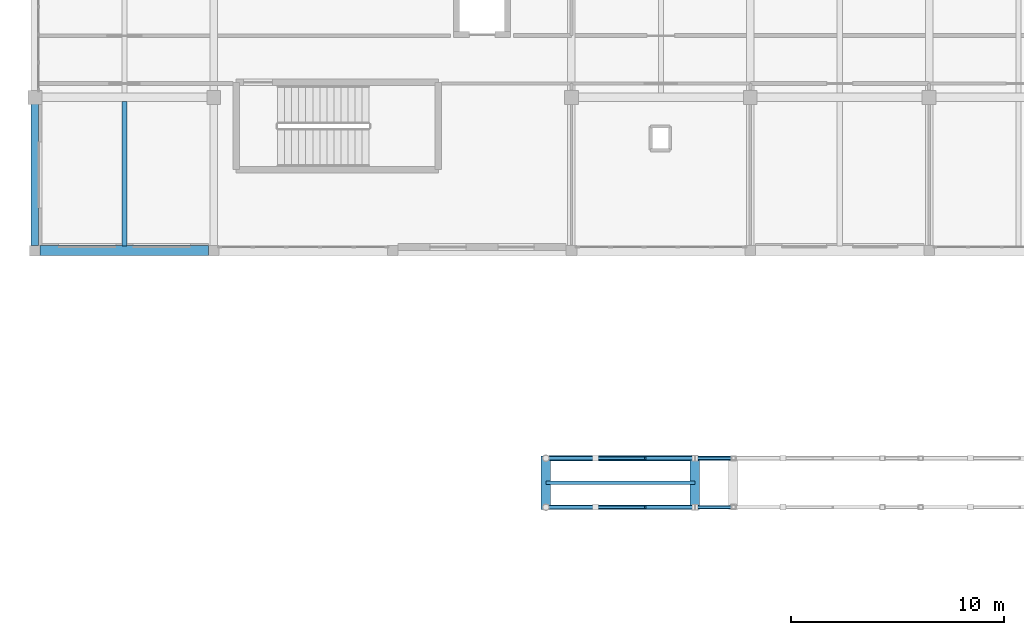
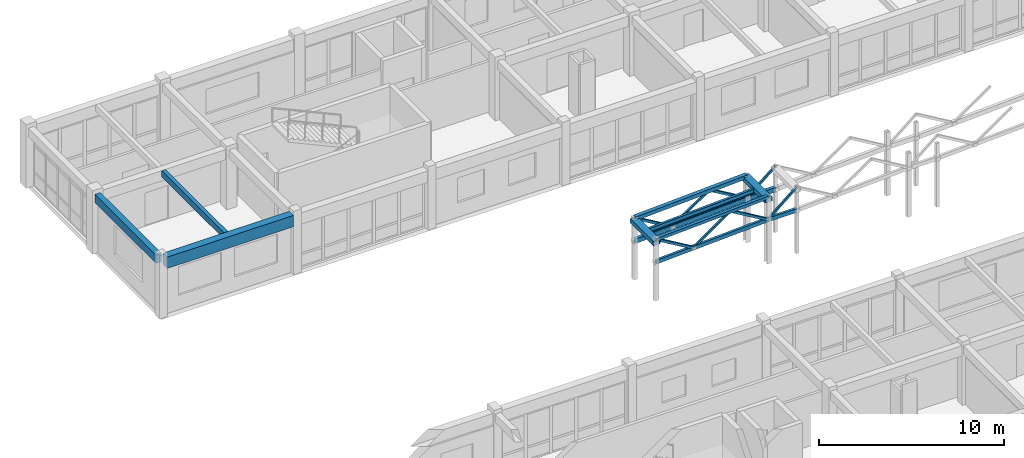
# One storey, part 33 of 89: 14 members, 6 beams.
"""IFC4 building model written with IfcOpenShell, lengths in metres."""

from ifc_helpers import new_model, si_unit, direction, frame, origin, origin_2d, place, context, subcontext, project, spatial, rectangle, hollow_rectangle, i_section, extrude, material, material_profile, profile_set, type_object, element, save


model = new_model("IFC4")

# Units and contexts
model_context = context("Model", 3, precision=1e-05, world=origin(), true_north=direction((0.0, 1.0)))
body_context = subcontext(model_context, "Body", "Model", "MODEL_VIEW")
ifc_project = project(units=[si_unit("LENGTHUNIT", "METRE"), si_unit("AREAUNIT", "SQUARE_METRE"), si_unit("VOLUMEUNIT", "CUBIC_METRE"), si_unit("PLANEANGLEUNIT", "RADIAN"), si_unit("MASSUNIT", "GRAM", prefix="KILO")], contexts=[model_context])

# Site, building, storey
site_placement = place(None, origin())
site = spatial("IfcSite", under=ifc_project, at=site_placement, CompositionType="ELEMENT")
building_placement = place(site_placement, origin())
building = spatial("IfcBuilding", under=site, at=building_placement, Name="Malvenik Polytechnic", CompositionType="ELEMENT")
storey_placement = place(building_placement, frame((0.0, 0.0, 13.5)))
storey = spatial("IfcBuildingStorey", under=building, at=storey_placement, Name="L03", CompositionType="ELEMENT", Elevation=13.5)

# Beams
ifc_material_1 = material(Name="Concrete C35/45", Category="concrete")
ifc_material_profile_1 = material_profile(ifc_material_1, rectangle(XDim=0.35009765625, YDim=0.550048828125, at=origin_2d()), Name="RC BM 350x550")
ifc_profile_set_1 = profile_set([ifc_material_profile_1], Name="Concrete C35/45")
beam_type_1 = type_object("IfcBeamType", Name="STR-BM-B-08", PredefinedType="BEAM", material=ifc_profile_set_1)
beam_1_placement = place(storey_placement, frame((0.0, 115.447998046875, 3.64501953125), z_axis=(0.0, 1.0, 0.0), x_axis=(-1.0, 0.0, 0.0)))
element("IfcBeam", 1, at=beam_1_placement, inside=storey, type_object=beam_type_1, Name="Transverse Beam B-08 L03 #1721", PredefinedType="BEAM", context=body_context, shape_type="SweptSolid", body=[
    extrude(rectangle(XDim=0.35009765625, YDim=0.550048828125, at=origin_2d()), origin(), (0.0, 0.0, 1.0), 6.62890625),
])
ifc_material_2 = material(Name="Concrete C30/37", Category="concrete")
ifc_material_profile_2 = material_profile(ifc_material_2, rectangle(XDim=0.239990234375, YDim=0.419921875, at=origin_2d()), Name="RC JST 240x420")
ifc_profile_set_2 = profile_set([ifc_material_profile_2], Name="Concrete C30/37")
beam_type_2 = type_object("IfcBeamType", Name="STR-BM-J-03", PredefinedType="JOIST", material=ifc_profile_set_2)
beam_2_placement = place(storey_placement, frame((4.199951171875, 115.427978515625, 3.7099609375), z_axis=(0.0, 1.0, 0.0), x_axis=(-1.0, 0.0, 0.0)))
element("IfcBeam", 2, at=beam_2_placement, inside=storey, type_object=beam_type_2, Name="Secondary Rib Joist J-03 L03 #1785", PredefinedType="JOIST", context=body_context, shape_type="SweptSolid", body=[
    extrude(rectangle(XDim=0.239990234375, YDim=0.419921875, at=origin_2d()), origin(), (0.0, 0.0, 1.0), 6.77392578125),
])
ifc_material_3 = material(Name="Steel S355J2H", Category="steel")
ifc_material_profile_3 = material_profile(ifc_material_3, hollow_rectangle(XDim=0.449951171875, YDim=0.300048828125, WallThickness=0.012451171875, at=origin_2d()), Name="RHS 450x300x12.5")
ifc_profile_set_3 = profile_set([ifc_material_profile_3], Name="Steel S355J2H")
beam_type_3 = type_object("IfcBeamType", Name="STR-BM-SB-07", PredefinedType="BEAM", material=ifc_profile_set_3)
for number, where, z_axis, x_axis, name in (
    (3, (24.0, 103.050048828125, 3.802001953125), (0.0, 1.0, 0.0), (-1.0, 0.0, 0.0), "Ramp Joint Transom RB-03 #0"),
    (4, (31.0, 103.050048828125, 4.181884765625), (0.0, 1.0, 0.0), (-1.0, 0.0, 0.0), "Ramp Joint Transom RB-03 #1"),
):
    element("IfcBeam", number, at=place(storey_placement, frame(where, z_axis=z_axis, x_axis=x_axis)), inside=storey, type_object=beam_type_3, Name=name, PredefinedType="BEAM", context=body_context, shape_type="SweptSolid", body=[
        extrude(hollow_rectangle(XDim=0.449951171875, YDim=0.300048828125, WallThickness=0.012451171875, at=origin_2d()), origin(), (0.0, 0.0, 1.0), 2.5),
    ])
ifc_material_4 = material(Name="Steel S355", Category="steel")
ifc_material_profile_4 = material_profile(ifc_material_4, i_section(OverallWidth=0.14990234375, OverallDepth=0.300048828125, WebThickness=0.007080078125, FlangeThickness=0.0107421875, FilletRadius=0.014892578125, at=origin_2d()), Name="IPE 300")
ifc_profile_set_4 = profile_set([ifc_material_profile_4], Name="Steel S355")
beam_type_4 = type_object("IfcBeamType", Name="STR-BM-SB-09", PredefinedType="JOIST", material=ifc_profile_set_4)
beam_3_placement = place(storey_placement, frame((24.0, 104.300048828125, 3.77490234375), z_axis=(0.998751643845, 0.0, 0.049951515669), x_axis=(0.0, 1.0, 0.0)))
element("IfcBeam", 5, at=beam_3_placement, inside=storey, type_object=beam_type_4, Name="Ramp Centreline Stringer RB-03 #0", PredefinedType="JOIST", context=body_context, shape_type="SweptSolid", body=[
    extrude(i_section(OverallWidth=0.14990234375, OverallDepth=0.300048828125, WebThickness=0.007080078125, FlangeThickness=0.0107421875, FilletRadius=0.014892578125, at=origin_2d()), origin(), (0.0, 0.0, 1.0), 7.0087890625),
])
ifc_material_5 = material(Name="Precast concrete C40/50", Category="concrete")
ifc_material_profile_5 = material_profile(ifc_material_5, rectangle(XDim=0.4599609375, YDim=0.75, at=origin_2d()), Name="PC SPN 460x750")
ifc_profile_set_5 = profile_set([ifc_material_profile_5], Name="Precast concrete C40/50")
beam_type_5 = type_object("IfcBeamType", Name="STR-BM-SP-02", PredefinedType="SPANDREL", material=ifc_profile_set_5)
beam_4_placement = place(storey_placement, frame((0.248046875, 115.199951171875, 3.544921875), z_axis=(1.0, 0.0, 0.0), x_axis=(0.0, 1.0, 0.0)))
element("IfcBeam", 6, at=beam_4_placement, inside=storey, type_object=beam_type_5, Name="Primary Beam SP-02 L03 #1677", PredefinedType="SPANDREL", context=body_context, shape_type="SweptSolid", body=[
    extrude(rectangle(XDim=0.4599609375, YDim=0.75, at=origin_2d()), origin(), (0.0, 0.0, 1.0), 7.904052734375),
])

# Members
ifc_material_profile_6 = material_profile(ifc_material_3, hollow_rectangle(XDim=0.14990234375, YDim=0.25, WallThickness=0.010009765625, at=origin_2d()), Name="RHS 250x150x10.0")
ifc_profile_set_6 = profile_set([ifc_material_profile_6], Name="Steel S355J2H")
member_type_1 = type_object("IfcMemberType", Name="STR-MEM-TRB-01", PredefinedType="CHORD", material=ifc_profile_set_6)
member_1_placement = place(storey_placement, frame((24.00390625, 103.14990234375, 2.480224609375), z_axis=(0.998752338878, 0.0, 0.049937616944), x_axis=(0.0, 1.0, 0.0)))
element("IfcMember", 7, at=member_1_placement, inside=storey, type_object=member_type_1, Name="Space-Frame Tube TRB-01 STR-TR-BC-RB-03-1-00", PredefinedType="CHORD", context=body_context, shape_type="SweptSolid", body=[
    extrude(hollow_rectangle(XDim=0.14990234375, YDim=0.25, WallThickness=0.010009765625, at=origin_2d()), origin(), (0.0, 0.0, 1.0), 7.0009765625),
])
member_2_placement = place(storey_placement, frame((31.00390625, 103.14990234375, 2.830078125), z_axis=(1.0, 0.0, 0.0), x_axis=(0.0, 1.0, 0.0)))
element("IfcMember", 8, at=member_2_placement, inside=storey, type_object=member_type_1, Name="Space-Frame Tube TRB-01 STR-TR-BC-RB-03-1-01", PredefinedType="CHORD", context=body_context, shape_type="SweptSolid", body=[
    extrude(hollow_rectangle(XDim=0.14990234375, YDim=0.25, WallThickness=0.010009765625, at=origin_2d()), origin(), (0.0, 0.0, 1.0), 1.7919921875),
])
ifc_material_profile_7 = material_profile(ifc_material_3, hollow_rectangle(XDim=0.199951171875, YDim=0.300048828125, WallThickness=0.010009765625, at=origin_2d()), Name="RHS 300x200x10.0")
ifc_profile_set_7 = profile_set([ifc_material_profile_7], Name="Steel S355J2H")
member_type_2 = type_object("IfcMemberType", Name="STR-MEM-TRB-02", PredefinedType="CHORD", material=ifc_profile_set_7)
member_3_placement = place(storey_placement, frame((24.00390625, 105.449951171875, 2.480224609375), z_axis=(0.998752338878, 0.0, 0.049937616944), x_axis=(0.0, 1.0, 0.0)))
element("IfcMember", 9, at=member_3_placement, inside=storey, type_object=member_type_2, Name="Space-Frame Tube TRB-02 STR-TR-BC-RB-03-2-00", PredefinedType="CHORD", context=body_context, shape_type="SweptSolid", body=[
    extrude(hollow_rectangle(XDim=0.199951171875, YDim=0.300048828125, WallThickness=0.010009765625, at=origin_2d()), origin(), (0.0, 0.0, 1.0), 7.0009765625),
])
member_4_placement = place(storey_placement, frame((31.00390625, 105.449951171875, 2.830078125), z_axis=(1.0, 0.0, 0.0), x_axis=(0.0, 1.0, 0.0)))
element("IfcMember", 10, at=member_4_placement, inside=storey, type_object=member_type_2, Name="Space-Frame Tube TRB-02 STR-TR-BC-RB-03-2-01", PredefinedType="CHORD", context=body_context, shape_type="SweptSolid", body=[
    extrude(hollow_rectangle(XDim=0.199951171875, YDim=0.300048828125, WallThickness=0.010009765625, at=origin_2d()), origin(), (0.0, 0.0, 1.0), 1.7919921875),
])
ifc_material_profile_8 = material_profile(ifc_material_3, hollow_rectangle(XDim=0.14990234375, YDim=0.14990234375, WallThickness=0.008056640625, at=origin_2d()), Name="SHS 150x150x8.0")
ifc_profile_set_8 = profile_set([ifc_material_profile_8], Name="Steel S355J2H")
member_type_3 = type_object("IfcMemberType", Name="STR-MEM-TRD-01", PredefinedType="BRACE", material=ifc_profile_set_8)
for number, where, z_axis, x_axis, name in (
    (11, (24.00341796875, 103.14990234375, 3.97802734375), (0.860165406805, 0.0, -0.51001516932), (0.0, 1.0, 0.0), "Space-Frame Tube TRD-01 STR-TRD-01-RB-03-1-00"),
    (12, (28.670166015625, 103.14990234375, 4.211181640625), (0.860205006447, 0.0, -0.509948376684), (0.0, 1.0, 0.0), "Space-Frame Tube TRD-01 STR-TRD-03-RB-03-1-00"),
    (13, (24.00341796875, 105.449951171875, 3.97802734375), (0.860165406805, 0.0, -0.51001516932), (0.0, 1.0, 0.0), "Space-Frame Tube TRD-01 STR-TRD-01-RB-03-2-00"),
    (14, (28.670166015625, 105.449951171875, 4.211181640625), (0.860205006447, 0.0, -0.509948376684), (0.0, 1.0, 0.0), "Space-Frame Tube TRD-01 STR-TRD-03-RB-03-2-00"),
):
    element("IfcMember", number, at=place(storey_placement, frame(where, z_axis=z_axis, x_axis=x_axis)), inside=storey, type_object=member_type_3, Name=name, PredefinedType="BRACE", context=body_context, shape_type="SweptSolid", body=[
        extrude(hollow_rectangle(XDim=0.14990234375, YDim=0.14990234375, WallThickness=0.008056640625, at=origin_2d()), origin(), (0.0, 0.0, 1.0), 2.70458984375),
    ])
ifc_material_profile_9 = material_profile(ifc_material_3, hollow_rectangle(XDim=0.1201171875, YDim=0.1201171875, WallThickness=0.00634765625, at=origin_2d()), Name="SHS 120x120x6.3")
ifc_profile_set_9 = profile_set([ifc_material_profile_9], Name="Steel S355J2H")
member_type_4 = type_object("IfcMemberType", Name="STR-MEM-TRD-02", PredefinedType="BRACE", material=ifc_profile_set_9)
member_5_placement = place(storey_placement, frame((26.336669921875, 103.14990234375, 2.59912109375), z_axis=(0.822018261481, 0.0, 0.569461129307), x_axis=(0.0, 1.0, 0.0)))
element("IfcMember", 15, at=member_5_placement, inside=storey, type_object=member_type_4, Name="Space-Frame Tube TRD-02 STR-TRD-02-RB-03-1-00", PredefinedType="BRACE", context=body_context, shape_type="SweptSolid", body=[
    extrude(hollow_rectangle(XDim=0.1201171875, YDim=0.1201171875, WallThickness=0.00634765625, at=origin_2d()), origin(), (0.0, 0.0, 1.0), 2.830322265625),
])
member_6_placement = place(storey_placement, frame((31.003173828125, 103.14990234375, 2.83251953125), z_axis=(0.768195567728, 0.0, 0.640215252647), x_axis=(0.0, 1.0, 0.0)))
element("IfcMember", 16, at=member_6_placement, inside=storey, type_object=member_type_4, Name="Space-Frame Tube TRD-02 STR-TR-DGL-RB-03-1-01", PredefinedType="BRACE", context=body_context, shape_type="SweptSolid", body=[
    extrude(hollow_rectangle(XDim=0.1201171875, YDim=0.1201171875, WallThickness=0.00634765625, at=origin_2d()), origin(), (0.0, 0.0, 1.0), 2.3349609375),
])
member_7_placement = place(storey_placement, frame((26.336669921875, 105.449951171875, 2.59912109375), z_axis=(0.822018261481, 0.0, 0.569461129307), x_axis=(0.0, 1.0, 0.0)))
element("IfcMember", 17, at=member_7_placement, inside=storey, type_object=member_type_4, Name="Space-Frame Tube TRD-02 STR-TRD-02-RB-03-2-00", PredefinedType="BRACE", context=body_context, shape_type="SweptSolid", body=[
    extrude(hollow_rectangle(XDim=0.1201171875, YDim=0.1201171875, WallThickness=0.00634765625, at=origin_2d()), origin(), (0.0, 0.0, 1.0), 2.830322265625),
])
member_8_placement = place(storey_placement, frame((31.003173828125, 105.449951171875, 2.83251953125), z_axis=(0.768195567728, 0.0, 0.640215252647), x_axis=(0.0, 1.0, 0.0)))
element("IfcMember", 18, at=member_8_placement, inside=storey, type_object=member_type_4, Name="Space-Frame Tube TRD-02 STR-TR-DGL-RB-03-2-01", PredefinedType="BRACE", context=body_context, shape_type="SweptSolid", body=[
    extrude(hollow_rectangle(XDim=0.1201171875, YDim=0.1201171875, WallThickness=0.00634765625, at=origin_2d()), origin(), (0.0, 0.0, 1.0), 2.3349609375),
])
ifc_material_profile_10 = material_profile(ifc_material_3, hollow_rectangle(XDim=0.199951171875, YDim=0.199951171875, WallThickness=0.010009765625, at=origin_2d()), Name="SHS 200x200x10.0")
ifc_profile_set_10 = profile_set([ifc_material_profile_10], Name="Steel S355J2H")
member_type_5 = type_object("IfcMemberType", Name="STR-MEM-TRT-01", PredefinedType="CHORD", material=ifc_profile_set_10)
member_9_placement = place(storey_placement, frame((24.00390625, 103.14990234375, 3.980224609375), z_axis=(0.998752338878, 0.0, 0.049937616944), x_axis=(0.0, 1.0, 0.0)))
element("IfcMember", 19, at=member_9_placement, inside=storey, type_object=member_type_5, Name="Space-Frame Tube TRT-01 STR-TR-TC-RB-03-1-00", PredefinedType="CHORD", context=body_context, shape_type="SweptSolid", body=[
    extrude(hollow_rectangle(XDim=0.199951171875, YDim=0.199951171875, WallThickness=0.010009765625, at=origin_2d()), origin(), (0.0, 0.0, 1.0), 7.0009765625),
])
ifc_material_profile_11 = material_profile(ifc_material_3, hollow_rectangle(XDim=0.25, YDim=0.25, WallThickness=0.010009765625, at=origin_2d()), Name="SHS 250x250x10.0")
ifc_profile_set_11 = profile_set([ifc_material_profile_11], Name="Steel S355J2H")
member_type_6 = type_object("IfcMemberType", Name="STR-MEM-TRT-02", PredefinedType="CHORD", material=ifc_profile_set_11)
member_10_placement = place(storey_placement, frame((24.00390625, 105.449951171875, 3.980224609375), z_axis=(0.998752338878, 0.0, 0.049937616944), x_axis=(0.0, 1.0, 0.0)))
element("IfcMember", 20, at=member_10_placement, inside=storey, type_object=member_type_6, Name="Space-Frame Tube TRT-02 STR-TR-TC-RB-03-2-00", PredefinedType="CHORD", context=body_context, shape_type="SweptSolid", body=[
    extrude(hollow_rectangle(XDim=0.25, YDim=0.25, WallThickness=0.010009765625, at=origin_2d()), origin(), (0.0, 0.0, 1.0), 7.0009765625),
])

save(model, "model.ifc")
